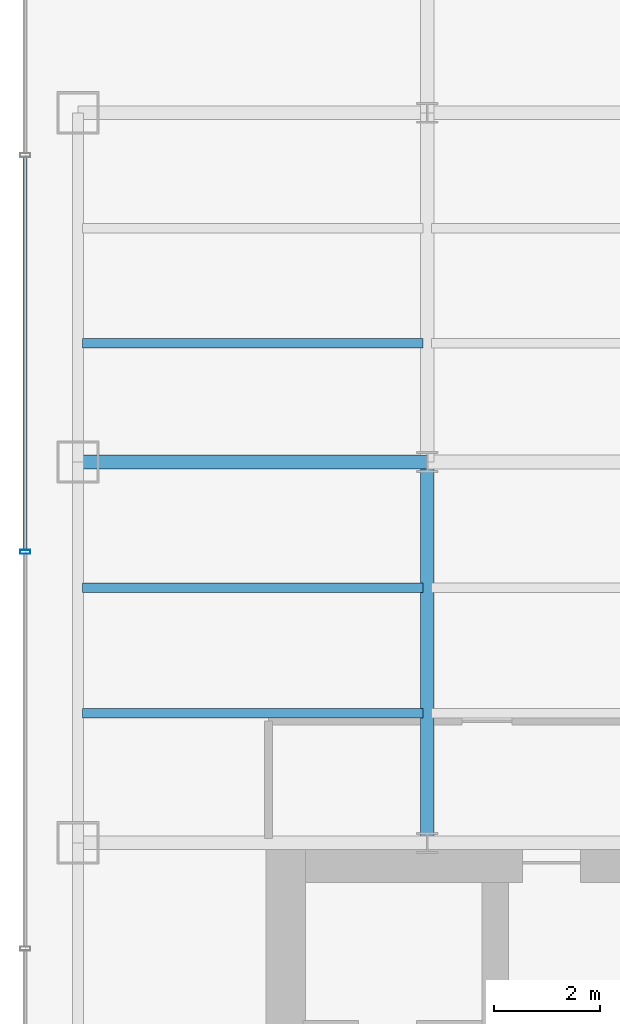
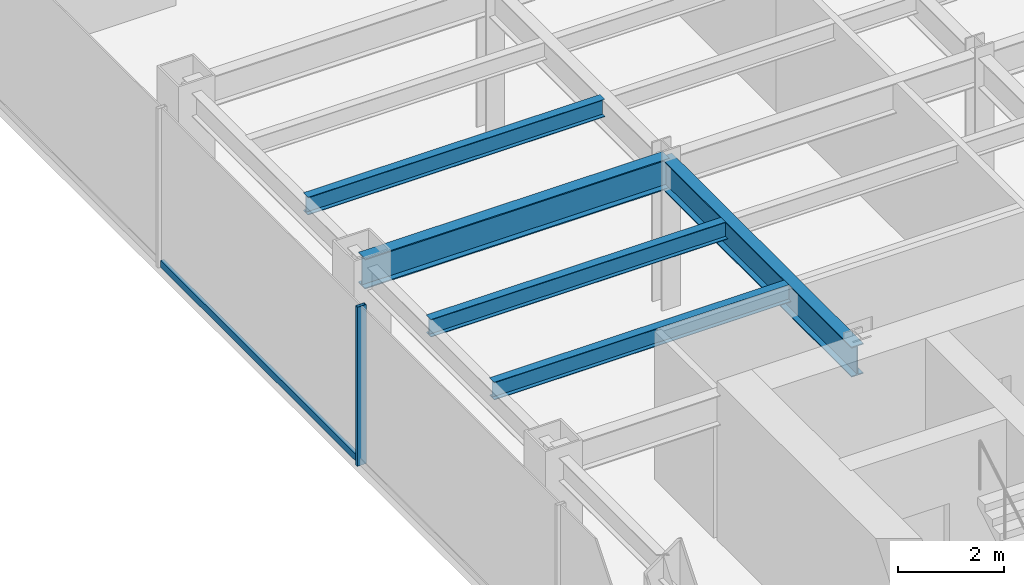
# One storey, part 4 of 26: 5 beams, 2 members, 1 element without a shape of its own.
"""IFC4 building model written with IfcOpenShell, lengths in metres."""

from ifc_helpers import new_model, si_unit, derived_unit, direction, frame, origin, origin_2d, place, context, subcontext, project, spatial, hollow_rectangle, i_section, extrude, source, transform, mapped, material, material_profile, profile_set, type_object, element, aggregate, save


model = new_model("IFC4")

# Units and contexts
model_context = context("Model", 3, precision=1e-05, world=origin(), true_north=direction((0.0, 1.0)))
body_context = subcontext(model_context, "Body", "Model", "MODEL_VIEW")
ifc_project = project(units=[si_unit("LENGTHUNIT", "METRE"), si_unit("AREAUNIT", "SQUARE_METRE"), si_unit("VOLUMEUNIT", "CUBIC_METRE"), si_unit("PLANEANGLEUNIT", "RADIAN"), si_unit("MASSUNIT", "GRAM", prefix="KILO"), derived_unit("THERMALTRANSMITTANCEUNIT", [(si_unit("POWERUNIT", "WATT"), 1), (si_unit("LENGTHUNIT", "METRE"), -2), (si_unit("THERMODYNAMICTEMPERATUREUNIT", "KELVIN"), -1)])], contexts=[model_context])

# Site, building, storey
site_placement = place(None, origin())
site = spatial("IfcSite", under=ifc_project, at=site_placement, CompositionType="ELEMENT")
building_placement = place(site_placement, origin())
building = spatial("IfcBuilding", under=site, at=building_placement, Name="Skarnbrae Concourse Arena and Tower", CompositionType="ELEMENT")
storey_placement = place(building_placement, frame((0.0, 0.0, 117.85009765625)))
storey = spatial("IfcBuildingStorey", under=building, at=storey_placement, Name="L29", CompositionType="ELEMENT", Elevation=117.85009765625)

# Beams
ifc_material_1 = material(Name="Steel CSA G40.21 350W", Category="steel")
ifc_material_profile_1 = material_profile(ifc_material_1, i_section(OverallWidth=0.256103515625, OverallDepth=0.693115234375, WebThickness=0.014404296875, FlangeThickness=0.023681640625, at=origin_2d()), Name="W690X170")
ifc_profile_set_1 = profile_set([ifc_material_profile_1], Name="Steel CSA G40.21 350W")
beam_type_1 = type_object("IfcBeamType", Name="BM-GIRD-W690X170", PredefinedType="BEAM", material=ifc_profile_set_1)
shared_shape_1 = source(origin(), body_context, "Body", "SweptSolid", [
    extrude(i_section(OverallWidth=0.256103515625, OverallDepth=0.693115234375, WebThickness=0.014404296875, FlangeThickness=0.023681640625, at=origin_2d()), origin(), (0.0, 0.0, 1.0), 6.60009765625),
])
beam_1_placement = place(storey_placement, frame((1.0, 21.199951171875, 3.053466796875), z_axis=(1.0, 0.0, 0.0), x_axis=(0.0, 1.0, 0.0)))
element("IfcBeam", 1, at=beam_1_placement, inside=storey, type_object=beam_type_1, Name="L29 Primary E-W girder Y21.2-1", PredefinedType="BEAM", context=body_context, shape_type="MappedRepresentation", body=[
    mapped(shared_shape_1, transform((0.0, 0.0, 0.0))),
])
shared_shape_2 = source(origin(), body_context, "Body", "SweptSolid", [
    extrude(i_section(OverallWidth=0.256103515625, OverallDepth=0.693115234375, WebThickness=0.014404296875, FlangeThickness=0.023681640625, at=origin_2d()), origin(), (0.0, 0.0, 1.0), 7.199951171875),
])
beam_2_placement = place(storey_placement, frame((7.60009765625, 14.0, 3.053466796875), z_axis=(0.0, 1.0, 0.0), x_axis=(-1.0, 0.0, 0.0)))
element("IfcBeam", 2, at=beam_2_placement, inside=storey, type_object=beam_type_1, Name="L29 Primary N-S girder X7.6-1", PredefinedType="BEAM", context=body_context, shape_type="MappedRepresentation", body=[
    mapped(shared_shape_2, transform((0.0, 0.0, 0.0))),
])
ifc_material_profile_2 = material_profile(ifc_material_1, i_section(OverallWidth=0.177978515625, OverallDepth=0.406982421875, WebThickness=0.0078125, FlangeThickness=0.0126953125, at=origin_2d()), Name="W410X60")
ifc_profile_set_2 = profile_set([ifc_material_profile_2], Name="Steel CSA G40.21 350W")
beam_type_2 = type_object("IfcBeamType", Name="BM-JOIST-W410X60", PredefinedType="JOIST", material=ifc_profile_set_2)
shared_shape_3 = source(origin(), body_context, "Body", "SweptSolid", [
    extrude(i_section(OverallWidth=0.177978515625, OverallDepth=0.406982421875, WebThickness=0.0078125, FlangeThickness=0.0126953125, at=origin_2d()), origin(), (0.0, 0.0, 1.0), 6.43994140625),
])
for number, where, z_axis, x_axis, name in (
    (3, (1.080078125, 16.447998046875, 3.1962890625), (1.0, 0.0, 0.0), (0.0, 1.0, 0.0), "L29 Secondary floor joist 1.1.1"),
    (4, (1.080078125, 18.823974609375, 3.1962890625), (1.0, 0.0, 0.0), (0.0, 1.0, 0.0), "L29 Secondary floor joist 1.2.1"),
    (5, (1.080078125, 23.444091796875, 3.1962890625), (1.0, 0.0, 0.0), (0.0, 1.0, 0.0), "L29 Secondary floor joist 2.1.1"),
):
    element("IfcBeam", number, at=place(storey_placement, frame(where, z_axis=z_axis, x_axis=x_axis)), inside=storey, type_object=beam_type_2, Name=name, PredefinedType="JOIST", context=body_context, shape_type="MappedRepresentation", body=[
        mapped(shared_shape_3, transform((0.0, 0.0, 0.0))),
    ])

# Curtain wall, members
ifc_material_2 = material(Name="Bronze anodised aluminium 6063-T6", Category="aluminium")
curtain_wall_type = type_object("IfcCurtainWallType", Name="CW-SYS-04-MIDZONE", PredefinedType="USERDEFINED", material=ifc_material_2)
curtain_wall_placement = place(storey_placement, origin())
curtain_wall = element("IfcCurtainWall", 6, at=curtain_wall_placement, inside=storey, type_object=curtain_wall_type, Name="L29 Unitised curtain wall CW-L29-E19", ObjectType="UNITISED CURTAIN WALL", PredefinedType="USERDEFINED")
ifc_material_profile_3 = material_profile(ifc_material_2, hollow_rectangle(XDim=0.074951171875, YDim=0.159912109375, WallThickness=0.00439453125, at=origin_2d()), Name="ALU-TRAN-75X160")
ifc_profile_set_3 = profile_set([ifc_material_profile_3], Name="Bronze anodised aluminium 6063-T6")
member_type_1 = type_object("IfcMemberType", Name="CWT-CW-04", PredefinedType="USERDEFINED", material=ifc_profile_set_3)
shared_shape_4 = source(origin(), body_context, "Body", "SweptSolid", [
    extrude(hollow_rectangle(XDim=0.074951171875, YDim=0.159912109375, WallThickness=0.00439453125, at=origin_2d()), origin(), (0.0, 0.0, 1.0), 7.4248046875),
])
member_1_placement = place(storey_placement, frame((0.0, 26.96240234375, 0.079833984375), z_axis=(0.0, -1.0, 0.0), x_axis=(1.0, 0.0, 0.0)))
member_1 = element("IfcMember", 7, at=member_1_placement, type_object=member_type_1, Name="CW-L29-E19 Transom 2", ObjectType="TRANSOM", PredefinedType="USERDEFINED", context=body_context, shape_type="MappedRepresentation", body=[
    mapped(shared_shape_4, transform((0.0, 0.0, 0.0))),
])
ifc_material_profile_4 = material_profile(ifc_material_2, hollow_rectangle(XDim=0.074951171875, YDim=0.195068359375, WallThickness=0.00439453125, at=origin_2d()), Name="ALU-MULL-75X195")
ifc_profile_set_4 = profile_set([ifc_material_profile_4], Name="Bronze anodised aluminium 6063-T6")
member_type_2 = type_object("IfcMemberType", Name="CWM-CW-04", PredefinedType="MULLION", material=ifc_profile_set_4)
shared_shape_5 = source(origin(), body_context, "Body", "SweptSolid", [
    extrude(hollow_rectangle(XDim=0.074951171875, YDim=0.195068359375, WallThickness=0.00439453125, at=origin_2d()), origin(), (0.0, 0.0, 1.0), 3.64990234375),
])
member_2_placement = place(storey_placement, frame((0.0, 19.5, 0.0), z_axis=(0.0, 0.0, 1.0), x_axis=(0.0, -1.0, 0.0)))
member_2 = element("IfcMember", 8, at=member_2_placement, type_object=member_type_2, Name="CW-L29-E19 Mullion 3", PredefinedType="MULLION", context=body_context, shape_type="MappedRepresentation", body=[
    mapped(shared_shape_5, transform((0.0, 0.0, 0.0))),
])
aggregate(curtain_wall, [member_2, member_1])

save(model, "model.ifc")
